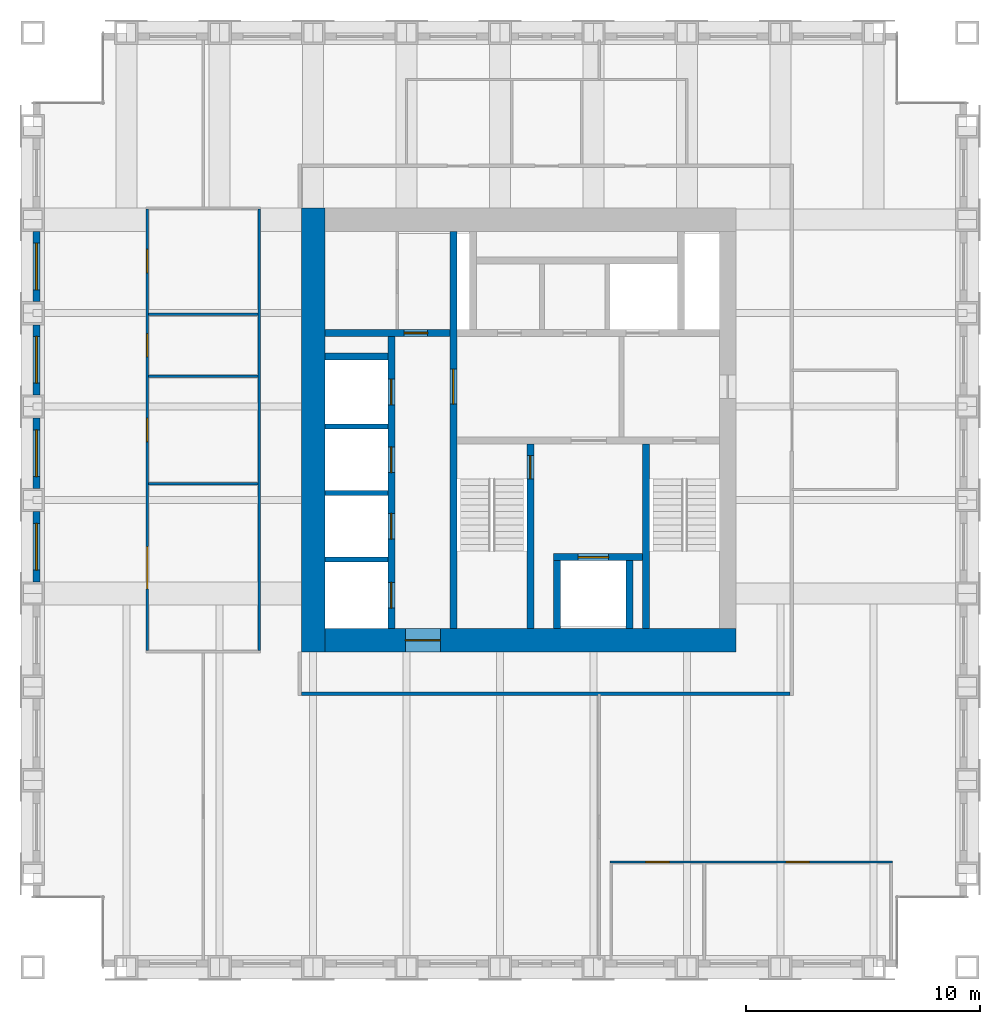
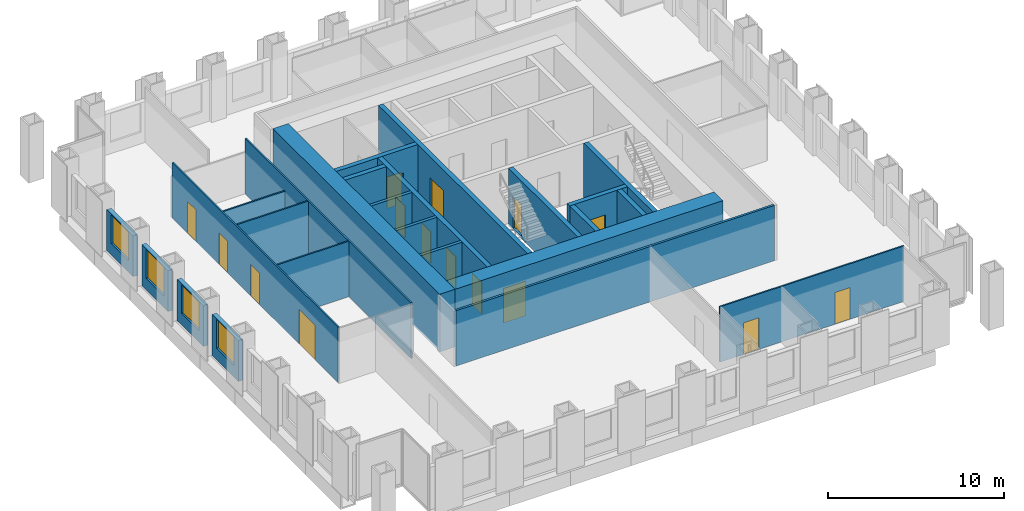
# One storey, part 8 of 11: 25 walls, 15 doors, 4 windows, 19 openings.
"""IFC4 building model written with IfcOpenShell, lengths in metres."""

import ifcopenshell
import ifcopenshell.guid

model = None  # the IFC model being written
_history = None  # IfcOwnerHistory: only IFC2X3 demands one
_inside = {}  # id of a spatial element -> (the spatial element, [elements in it])
_under = {}  # id of a project, library or spatial element -> (it, [spatial elements below it])
_declared = {}  # id of a project -> (the project, [libraries it declares])
_typed = {}  # id of a type object -> (the type object, [elements of that type])
_made_of = {}  # id of a material, layer set ... -> (it, [elements and type objects made of it])


def new_model(schema):
    """Start an empty IFC model of exactly this schema.

    Asked for "IFC4X3", IfcOpenShell would pick the latest addendum, in which some entities
    have other attributes; the version numbers below select the first issue.
    IFC2X3 requires an IfcOwnerHistory on every rooted entity: one is made here for all.
    """
    global model, _history
    if schema == "IFC4X3":
        model = ifcopenshell.file(schema_version=(4, 3, 0, 0))
    else:
        model = ifcopenshell.file(schema=schema)
    _inside.clear()
    _under.clear()
    _declared.clear()
    _typed.clear()
    _made_of.clear()
    _history = None
    if model.schema == "IFC2X3":
        org = make("IfcOrganization", Name="unknown")
        user = make(
            "IfcPersonAndOrganization",
            ThePerson=make("IfcPerson", FamilyName="unknown"),
            TheOrganization=org,
        )
        app = make(
            "IfcApplication",
            ApplicationDeveloper=org,
            Version="unknown",
            ApplicationFullName="unknown",
            ApplicationIdentifier="unknown",
        )
        _history = make(
            "IfcOwnerHistory",
            OwningUser=user,
            OwningApplication=app,
            ChangeAction="ADDED",
            CreationDate=0,
        )
    return model


def make(cls, **values):
    """One entity of the class cls with the attributes given. An attribute that is None is left unset."""
    return model.create_entity(
        cls, **{name: value for name, value in values.items() if value is not None}
    )


def rooted(cls, **values):
    """An entity with a GlobalId (a new one), such as an element, a storey or a relation."""
    return make(cls, GlobalId=ifcopenshell.guid.new(), OwnerHistory=_history, **values)


def si_unit(unit_type, name, prefix=None):
    """IfcSIUnit, for example si_unit("LENGTHUNIT", "METRE", prefix="MILLI")."""
    return make("IfcSIUnit", UnitType=unit_type, Prefix=prefix, Name=name)


def assignment(units):
    """IfcUnitAssignment: the units of a project."""
    return None if units is None else make("IfcUnitAssignment", Units=units)


def point(xyz):
    """IfcCartesianPoint."""
    return None if xyz is None else make("IfcCartesianPoint", Coordinates=xyz)


def direction(xyz):
    """IfcDirection."""
    return None if xyz is None else make("IfcDirection", DirectionRatios=xyz)


def frame(location, z_axis=None, x_axis=None):
    """IfcAxis2Placement3D, a coordinate frame: its origin and axes. An axis left out is left unset."""
    return make(
        "IfcAxis2Placement3D",
        Location=point(location),
        Axis=direction(z_axis),
        RefDirection=direction(x_axis),
    )


def frame_2d(location, x_axis=None):
    """IfcAxis2Placement2D, a coordinate frame in the plane: its origin and x axis."""
    return make(
        "IfcAxis2Placement2D", Location=point(location), RefDirection=direction(x_axis)
    )


def origin():
    """The frame at (0, 0, 0) with its axes left unset."""
    return frame((0.0, 0.0, 0.0))


def place(relative_to, where):
    """IfcLocalPlacement: puts the frame where relative to a parent placement (None: the world)."""
    return make(
        "IfcLocalPlacement", PlacementRelTo=relative_to, RelativePlacement=where
    )


def context(
    kind, dimensions, precision=None, world=None, true_north=None, identifier=None
):
    """IfcGeometricRepresentationContext, for example the 3D "Model" context."""
    return make(
        "IfcGeometricRepresentationContext",
        ContextIdentifier=identifier,
        ContextType=kind,
        CoordinateSpaceDimension=dimensions,
        Precision=precision,
        WorldCoordinateSystem=world,
        TrueNorth=true_north,
    )


def subcontext(parent, identifier, kind, view, scale=None):
    """IfcGeometricRepresentationSubContext, for example "Body" below "Model"."""
    return make(
        "IfcGeometricRepresentationSubContext",
        ContextIdentifier=identifier,
        ContextType=kind,
        ParentContext=parent,
        TargetScale=scale,
        TargetView=view,
    )


def project(units=None, contexts=None):
    """IfcProject with its units and contexts."""
    return rooted(
        "IfcProject",
        Name="project",
        RepresentationContexts=contexts,
        UnitsInContext=assignment(units),
    )


def spatial(cls, under=None, at=None, **own):
    """A site, building, storey or space (cls), placed at a placement, below another one or the project."""
    s = rooted(cls, ObjectPlacement=at, **own)
    if under is not None:
        _under.setdefault(under.id(), (under, []))[1].append(s)
    return s


def profile(cls, at=None, kind="AREA", **sizes):
    """A parametric profile (cls). Its sizes go by their IFC names, for example OverallWidth=200.0."""
    return make(cls, ProfileType=kind, Position=at, **sizes)


def rectangle(**sizes):
    """IfcRectangleProfileDef."""
    return profile("IfcRectangleProfileDef", **sizes)


def extrude(swept, where, along, depth):
    """IfcExtrudedAreaSolid: the profile swept, set in the frame where, extruded along a direction by depth."""
    return make(
        "IfcExtrudedAreaSolid",
        SweptArea=swept,
        Position=where,
        ExtrudedDirection=direction(along),
        Depth=depth,
    )


def shape(context_of_items, identifier, shape_type, items):
    """IfcShapeRepresentation: the items that make up one representation, for example the "Body"."""
    return make(
        "IfcShapeRepresentation",
        ContextOfItems=context_of_items,
        RepresentationIdentifier=identifier,
        RepresentationType=shape_type,
        Items=items,
    )


def material(Name=None, Category=None):
    """IfcMaterial."""
    return make("IfcMaterial", Name=Name, Category=Category)


def layer(
    of_material, thickness, ventilated=None, Name=None, Category=None, Priority=None
):
    """IfcMaterialLayer: one layer of a wall or slab, of a material (None: an air gap)."""
    return make(
        "IfcMaterialLayer",
        Material=of_material,
        LayerThickness=thickness,
        IsVentilated=ventilated,
        Name=Name,
        Category=Category,
        Priority=Priority,
    )


def layer_set(layers, Name=None):
    """IfcMaterialLayerSet."""
    return make("IfcMaterialLayerSet", MaterialLayers=layers, LayerSetName=Name)


def made_of(thing, what):
    """Note that an element or type object is made of a material, layer set ...; save() writes the relation."""
    if what is not None:
        _made_of.setdefault(what.id(), (what, []))[1].append(thing)
    return thing


def type_object(cls, material=None, **own):
    """A type object (cls), such as IfcWallType, which elements share."""
    return made_of(rooted(cls, **own), material)


def element(
    cls,
    number,
    at=None,
    inside=None,
    cuts=None,
    type_object=None,
    material=None,
    context=None,
    identifier="Body",
    shape_type=None,
    held_by="IfcProductDefinitionShape",
    body=None,
    shapes=None,
    **own,
):
    """One element of the class cls, such as IfcWall. Its Tag is "e" and its number.

    at: its placement. inside: the storey or other place that contains it. cuts: it is an
    opening in that element (IfcRelVoidsElement). A single representation is given by context,
    identifier, shape_type and body (its items); several are given by shapes. held_by: the class
    of the entity that holds the representations. save() writes the other relations.
    """
    e = rooted(cls, Tag="e%d" % number, ObjectPlacement=at, **own)
    if body is not None:
        shapes = [shape(context, identifier, shape_type, body)]
    if shapes is not None:
        e.Representation = make(held_by, Representations=shapes)
    if inside is not None:
        _inside.setdefault(inside.id(), (inside, []))[1].append(e)
    if cuts is not None:
        rooted(
            "IfcRelVoidsElement", RelatingBuildingElement=cuts, RelatedOpeningElement=e
        )
    if type_object is not None:
        _typed.setdefault(type_object.id(), (type_object, []))[1].append(e)
    return made_of(e, material)


def fill(opening, filler):
    """IfcRelFillsElement: the door or window that sits in an opening."""
    return rooted(
        "IfcRelFillsElement",
        RelatingOpeningElement=opening,
        RelatedBuildingElement=filler,
    )


def aggregate(whole, parts):
    """IfcRelAggregates: a whole, such as a stair, and the parts it consists of."""
    return rooted("IfcRelAggregates", RelatingObject=whole, RelatedObjects=parts)


def save(model, path):
    """Write the relations noted so far, then the file.

    IfcRelAggregates (storeys below a building ...), IfcRelContainedInSpatialStructure (elements
    in a storey), IfcRelDefinesByType, IfcRelAssociatesMaterial and IfcRelDeclares: one each for
    every whole, place, type object, material and project.
    """
    for whole, parts in _under.values():
        aggregate(whole, parts)
    for where, things in _inside.values():
        rooted(
            "IfcRelContainedInSpatialStructure",
            RelatedElements=things,
            RelatingStructure=where,
        )
    for kind, things in _typed.values():
        rooted("IfcRelDefinesByType", RelatedObjects=things, RelatingType=kind)
    for what, things in _made_of.values():
        rooted("IfcRelAssociatesMaterial", RelatedObjects=things, RelatingMaterial=what)
    for by, libraries in _declared.values():
        rooted("IfcRelDeclares", RelatingContext=by, RelatedDefinitions=libraries)
    model.write(path)


model = new_model("IFC4")

# Units and contexts
model_context = context("Model", 3, precision=1e-05, world=origin(), true_north=direction((0.0, 1.0)))
body_context = subcontext(model_context, "Body", "Model", "MODEL_VIEW")
ifc_project = project(units=[si_unit("LENGTHUNIT", "METRE"), si_unit("AREAUNIT", "SQUARE_METRE"), si_unit("VOLUMEUNIT", "CUBIC_METRE"), si_unit("PLANEANGLEUNIT", "RADIAN"), si_unit("MASSUNIT", "GRAM", prefix="KILO")], contexts=[model_context])

# Site, building, storey
site_placement = place(None, origin())
site = spatial("IfcSite", under=ifc_project, at=site_placement, CompositionType="ELEMENT")
building_placement = place(site_placement, origin())
building = spatial("IfcBuilding", under=site, at=building_placement, Name="Rimbunsela Tower", CompositionType="ELEMENT")
storey_placement = place(building_placement, frame((0.0, 0.0, 282.199951171875)))
storey = spatial("IfcBuildingStorey", under=building, at=storey_placement, Name="L68", CompositionType="ELEMENT", Elevation=282.199951171875)

# Wall, opening, door
ifc_material_1 = material(Name="Concrete fc' 80 MPa", Category="concrete")
ifc_layer_1 = layer(ifc_material_1, 0.300048828125)
ifc_layer_set_1 = layer_set([ifc_layer_1], Name="Core internal wall 300")
wall_type_1 = type_object("IfcWallType", Name="Core internal wall 300", PredefinedType="SHEAR", material=ifc_layer_set_1)
wall_1_placement = place(storey_placement, frame((24.0, 18.5, -0.14990234375), z_axis=(0.0, 0.0, 1.0), x_axis=(0.0, 1.0, 0.0)))
wall_1 = element("IfcWall", 1, at=wall_1_placement, inside=storey, type_object=wall_type_1, Name="Core wall at stair A", PredefinedType="SHEAR", context=body_context, shape_type="SweptSolid", body=[
    extrude(rectangle(XDim=17.0, YDim=0.300048828125, at=frame_2d((8.5, 0.0))), origin(), (0.0, 0.0, 1.0), 4.0),
])
opening_1_placement = place(wall_1_placement, frame((9.60009765625, 0.0, 0.14990234375)))
opening_1 = element("IfcOpeningElement", 2, at=opening_1_placement, cuts=wall_1, Name="Opening D03", PredefinedType="OPENING", context=body_context, shape_type="SweptSolid", body=[
    extrude(rectangle(XDim=1.5, YDim=2.39990234375, at=frame_2d((0.75, 1.199951171875))), frame((0.0, 0.159912109375, 0.0), z_axis=(0.0, -1.0, 0.0), x_axis=(1.0, 0.0, 0.0)), (0.0, 0.0, 1.0), 0.320068359375),
])
ifc_material_2 = material(Name="Steel door, fire rated", Category="steel")
door_type_1 = type_object("IfcDoorType", Name="Core lobby door 1500", OperationType="DOUBLE_DOOR_DOUBLE_SWING", PredefinedType="DOOR", material=ifc_material_2)
door_1_placement = place(opening_1_placement, origin())
door_1 = element("IfcDoor", 3, at=door_1_placement, inside=storey, type_object=door_type_1, Name="West lobby door", OperationType="DOUBLE_DOOR_DOUBLE_SWING", OverallHeight=2.39990234375, OverallWidth=1.5, PredefinedType="DOOR", context=body_context, shape_type="SweptSolid", body=[
    extrude(rectangle(XDim=1.5, YDim=2.39990234375, at=frame_2d((0.75, 1.199951171875))), frame((0.0, 0.02490234375, 0.0), z_axis=(0.0, -1.0, 0.0), x_axis=(1.0, 0.0, 0.0)), (0.0, 0.0, 1.0), 0.050048828125),
])
fill(opening_1, door_1)

wall_2_placement = place(storey_placement, frame((27.300048828125, 18.5, -0.14990234375), z_axis=(0.0, 0.0, 1.0), x_axis=(0.0, 1.0, 0.0)))
wall_2 = element("IfcWall", 4, at=wall_2_placement, inside=storey, type_object=wall_type_1, Name="Stair A enclosure", PredefinedType="SHEAR", context=body_context, shape_type="SweptSolid", body=[
    extrude(rectangle(XDim=7.89990234375, YDim=0.300048828125, at=frame_2d((3.949951171875, 0.0))), origin(), (0.0, 0.0, 1.0), 4.0),
])
opening_2_placement = place(wall_2_placement, frame((6.39990234375, 0.0, 0.14990234375)))
opening_2 = element("IfcOpeningElement", 5, at=opening_2_placement, cuts=wall_2, Name="Opening D01", PredefinedType="OPENING", context=body_context, shape_type="SweptSolid", body=[
    extrude(rectangle(XDim=1.0, YDim=2.199951171875, at=frame_2d((0.5, 1.10009765625))), frame((0.0, 0.159912109375, 0.0), z_axis=(0.0, -1.0, 0.0), x_axis=(1.0, 0.0, 0.0)), (0.0, 0.0, 1.0), 0.320068359375),
])
ifc_material_3 = material(Name="Steel door, fire rated", Category="steel")
door_type_2 = type_object("IfcDoorType", Name="Stair door 1000", OperationType="SINGLE_SWING_RIGHT", PredefinedType="DOOR", material=ifc_material_3)
door_2_placement = place(opening_2_placement, origin())
door_2 = element("IfcDoor", 6, at=door_2_placement, inside=storey, type_object=door_type_2, Name="Stair A door", OperationType="SINGLE_SWING_RIGHT", OverallHeight=2.199951171875, OverallWidth=1.0, PredefinedType="DOOR", context=body_context, shape_type="SweptSolid", body=[
    extrude(rectangle(XDim=1.0, YDim=2.199951171875, at=frame_2d((0.5, 1.10009765625))), frame((0.0, 0.02490234375, 0.0), z_axis=(0.0, -1.0, 0.0), x_axis=(1.0, 0.0, 0.0)), (0.0, 0.0, 1.0), 0.050048828125),
])
fill(opening_2, door_2)

# Walls
wall_3_placement = place(storey_placement, frame((32.25, 18.5, -0.14990234375), z_axis=(0.0, 0.0, 1.0), x_axis=(0.0, 1.0, 0.0)))
element("IfcWall", 7, at=wall_3_placement, inside=storey, type_object=wall_type_1, Name="Stair B enclosure", PredefinedType="SHEAR", context=body_context, shape_type="SweptSolid", body=[
    extrude(rectangle(XDim=7.89990234375, YDim=0.300048828125, at=frame_2d((3.949951171875, 0.0))), origin(), (0.0, 0.0, 1.0), 4.0),
])
for number, where, z_axis, x_axis, name in (
    (8, (28.449951171875, 18.5, -0.14990234375), (0.0, 0.0, 1.0), (0.0, 1.0, 0.0), "Firefighting lift shaft west"),
    (9, (31.550048828125, 18.5, -0.14990234375), (0.0, 0.0, 1.0), (0.0, 1.0, 0.0), "Firefighting lift shaft east"),
):
    element("IfcWall", number, at=place(storey_placement, frame(where, z_axis=z_axis, x_axis=x_axis)), inside=storey, type_object=wall_type_1, Name=name, PredefinedType="SHEAR", context=body_context, shape_type="SweptSolid", body=[
        extrude(rectangle(XDim=2.89990234375, YDim=0.300048828125, at=frame_2d((1.449951171875, 0.0))), origin(), (0.0, 0.0, 1.0), 4.0),
    ])

# Wall, opening, door
wall_4_placement = place(storey_placement, frame((28.300048828125, 21.550048828125, -0.14990234375), z_axis=(0.0, 0.0, 1.0), x_axis=(1.0, 0.0, 0.0)))
wall_4 = element("IfcWall", 10, at=wall_4_placement, inside=storey, type_object=wall_type_1, Name="Firefighting lift shaft front", PredefinedType="SHEAR", context=body_context, shape_type="SweptSolid", body=[
    extrude(rectangle(XDim=3.800048828125, YDim=0.300048828125, at=frame_2d((1.89990234375, 0.0))), origin(), (0.0, 0.0, 1.0), 4.0),
])
opening_3_placement = place(wall_4_placement, frame((1.050048828125, 0.0, 0.14990234375)))
opening_3 = element("IfcOpeningElement", 11, at=opening_3_placement, cuts=wall_4, Name="Opening LD2", PredefinedType="OPENING", context=body_context, shape_type="SweptSolid", body=[
    extrude(rectangle(XDim=1.300048828125, YDim=2.39990234375, at=frame_2d((0.64990234375, 1.199951171875))), frame((0.0, 0.159912109375, 0.0), z_axis=(0.0, -1.0, 0.0), x_axis=(1.0, 0.0, 0.0)), (0.0, 0.0, 1.0), 0.320068359375),
])
ifc_material_4 = material(Name="Steel door, fire rated", Category="steel")
door_type_3 = type_object("IfcDoorType", Name="Lift landing door 1300", OperationType="DOUBLE_DOOR_SLIDING", PredefinedType="DOOR", material=ifc_material_4)
door_3_placement = place(opening_3_placement, origin())
door_3 = element("IfcDoor", 12, at=door_3_placement, inside=storey, type_object=door_type_3, Name="Lift landing door FL1", OperationType="DOUBLE_DOOR_SLIDING", OverallHeight=2.39990234375, OverallWidth=1.300048828125, PredefinedType="DOOR", context=body_context, shape_type="SweptSolid", body=[
    extrude(rectangle(XDim=1.300048828125, YDim=2.39990234375, at=frame_2d((0.64990234375, 1.199951171875))), frame((0.0, 0.02490234375, 0.0), z_axis=(0.0, -1.0, 0.0), x_axis=(1.0, 0.0, 0.0)), (0.0, 0.0, 1.0), 0.050048828125),
])
fill(opening_3, door_3)

# Wall, openings, doors
wall_5_placement = place(storey_placement, frame((21.35009765625, 18.5, -0.14990234375), z_axis=(0.0, 0.0, 1.0), x_axis=(0.0, 1.0, 0.0)))
wall_5 = element("IfcWall", 13, at=wall_5_placement, inside=storey, type_object=wall_type_1, Name="Lift shaft front west", PredefinedType="SHEAR", context=body_context, shape_type="SweptSolid", body=[
    extrude(rectangle(XDim=12.5, YDim=0.300048828125, at=frame_2d((6.25, 0.0))), origin(), (0.0, 0.0, 1.0), 4.0),
])
opening_4_placement = place(wall_5_placement, frame((0.875, 0.0, 0.14990234375)))
opening_4 = element("IfcOpeningElement", 14, at=opening_4_placement, cuts=wall_5, Name="Opening LD1", PredefinedType="OPENING", context=body_context, shape_type="SweptSolid", body=[
    extrude(rectangle(XDim=1.10009765625, YDim=2.199951171875, at=frame_2d((0.550048828125, 1.10009765625))), frame((0.0, 0.159912109375, 0.0), z_axis=(0.0, -1.0, 0.0), x_axis=(1.0, 0.0, 0.0)), (0.0, 0.0, 1.0), 0.320068359375),
])
opening_5_placement = place(wall_5_placement, frame((3.824951171875, 0.0, 0.14990234375)))
opening_5 = element("IfcOpeningElement", 15, at=opening_5_placement, cuts=wall_5, Name="Opening LD1", PredefinedType="OPENING", context=body_context, shape_type="SweptSolid", body=[
    extrude(rectangle(XDim=1.10009765625, YDim=2.199951171875, at=frame_2d((0.550048828125, 1.10009765625))), frame((0.0, 0.159912109375, 0.0), z_axis=(0.0, -1.0, 0.0), x_axis=(1.0, 0.0, 0.0)), (0.0, 0.0, 1.0), 0.320068359375),
])
opening_6_placement = place(wall_5_placement, frame((6.675048828125, 0.0, 0.14990234375)))
opening_6 = element("IfcOpeningElement", 16, at=opening_6_placement, cuts=wall_5, Name="Opening LD1", PredefinedType="OPENING", context=body_context, shape_type="SweptSolid", body=[
    extrude(rectangle(XDim=1.10009765625, YDim=2.199951171875, at=frame_2d((0.550048828125, 1.10009765625))), frame((0.0, 0.159912109375, 0.0), z_axis=(0.0, -1.0, 0.0), x_axis=(1.0, 0.0, 0.0)), (0.0, 0.0, 1.0), 0.320068359375),
])
opening_7_placement = place(wall_5_placement, frame((9.574951171875, 0.0, 0.14990234375)))
opening_7 = element("IfcOpeningElement", 17, at=opening_7_placement, cuts=wall_5, Name="Opening LD1", PredefinedType="OPENING", context=body_context, shape_type="SweptSolid", body=[
    extrude(rectangle(XDim=1.10009765625, YDim=2.199951171875, at=frame_2d((0.550048828125, 1.10009765625))), frame((0.0, 0.159912109375, 0.0), z_axis=(0.0, -1.0, 0.0), x_axis=(1.0, 0.0, 0.0)), (0.0, 0.0, 1.0), 0.320068359375),
])
ifc_material_5 = material(Name="Steel door, fire rated", Category="steel")
door_type_4 = type_object("IfcDoorType", Name="Lift landing door 1100", OperationType="DOUBLE_DOOR_SLIDING", PredefinedType="DOOR", material=ifc_material_5)
door_4_placement = place(opening_4_placement, origin())
door_4 = element("IfcDoor", 18, at=door_4_placement, inside=storey, type_object=door_type_4, Name="Lift landing door TL1", OperationType="DOUBLE_DOOR_SLIDING", OverallHeight=2.199951171875, OverallWidth=1.10009765625, PredefinedType="DOOR", context=body_context, shape_type="SweptSolid", body=[
    extrude(rectangle(XDim=1.10009765625, YDim=2.199951171875, at=frame_2d((0.550048828125, 1.10009765625))), frame((0.0, 0.02490234375, 0.0), z_axis=(0.0, -1.0, 0.0), x_axis=(1.0, 0.0, 0.0)), (0.0, 0.0, 1.0), 0.050048828125),
])
fill(opening_4, door_4)
door_5_placement = place(opening_5_placement, origin())
door_5 = element("IfcDoor", 19, at=door_5_placement, inside=storey, type_object=door_type_4, Name="Lift landing door TL2", OperationType="DOUBLE_DOOR_SLIDING", OverallHeight=2.199951171875, OverallWidth=1.10009765625, PredefinedType="DOOR", context=body_context, shape_type="SweptSolid", body=[
    extrude(rectangle(XDim=1.10009765625, YDim=2.199951171875, at=frame_2d((0.550048828125, 1.10009765625))), frame((0.0, 0.02490234375, 0.0), z_axis=(0.0, -1.0, 0.0), x_axis=(1.0, 0.0, 0.0)), (0.0, 0.0, 1.0), 0.050048828125),
])
fill(opening_5, door_5)
door_6_placement = place(opening_6_placement, origin())
door_6 = element("IfcDoor", 20, at=door_6_placement, inside=storey, type_object=door_type_4, Name="Lift landing door TL3", OperationType="DOUBLE_DOOR_SLIDING", OverallHeight=2.199951171875, OverallWidth=1.10009765625, PredefinedType="DOOR", context=body_context, shape_type="SweptSolid", body=[
    extrude(rectangle(XDim=1.10009765625, YDim=2.199951171875, at=frame_2d((0.550048828125, 1.10009765625))), frame((0.0, 0.02490234375, 0.0), z_axis=(0.0, -1.0, 0.0), x_axis=(1.0, 0.0, 0.0)), (0.0, 0.0, 1.0), 0.050048828125),
])
fill(opening_6, door_6)
door_7_placement = place(opening_7_placement, origin())
door_7 = element("IfcDoor", 21, at=door_7_placement, inside=storey, type_object=door_type_4, Name="Lift landing door TL4", OperationType="DOUBLE_DOOR_SLIDING", OverallHeight=2.199951171875, OverallWidth=1.10009765625, PredefinedType="DOOR", context=body_context, shape_type="SweptSolid", body=[
    extrude(rectangle(XDim=1.10009765625, YDim=2.199951171875, at=frame_2d((0.550048828125, 1.10009765625))), frame((0.0, 0.02490234375, 0.0), z_axis=(0.0, -1.0, 0.0), x_axis=(1.0, 0.0, 0.0)), (0.0, 0.0, 1.0), 0.050048828125),
])
fill(opening_7, door_7)

# Wall, opening, door
wall_6_placement = place(storey_placement, frame((18.5, 31.14990234375, -0.14990234375), z_axis=(0.0, 0.0, 1.0), x_axis=(1.0, 0.0, 0.0)))
wall_6 = element("IfcWall", 22, at=wall_6_placement, inside=storey, type_object=wall_type_1, Name="Store wall", PredefinedType="SHEAR", context=body_context, shape_type="SweptSolid", body=[
    extrude(rectangle(XDim=5.35009765625, YDim=0.300048828125, at=frame_2d((2.675048828125, 0.0))), origin(), (0.0, 0.0, 1.0), 4.0),
])
opening_8_placement = place(wall_6_placement, frame((3.39990234375, 0.0, 0.14990234375)))
opening_8 = element("IfcOpeningElement", 23, at=opening_8_placement, cuts=wall_6, Name="Opening D19", PredefinedType="OPENING", context=body_context, shape_type="SweptSolid", body=[
    extrude(rectangle(XDim=1.0, YDim=2.199951171875, at=frame_2d((0.5, 1.10009765625))), frame((0.0, 0.159912109375, 0.0), z_axis=(0.0, -1.0, 0.0), x_axis=(1.0, 0.0, 0.0)), (0.0, 0.0, 1.0), 0.320068359375),
])
ifc_material_6 = material(Name="Steel door, fire rated", Category="steel")
door_type_5 = type_object("IfcDoorType", Name="Service door 1000 fire rated", OperationType="SINGLE_SWING_LEFT", PredefinedType="DOOR", material=ifc_material_6)
door_8_placement = place(opening_8_placement, origin())
door_8 = element("IfcDoor", 24, at=door_8_placement, inside=storey, type_object=door_type_5, Name="Staff pantry door", OperationType="SINGLE_SWING_LEFT", OverallHeight=2.199951171875, OverallWidth=1.0, PredefinedType="DOOR", context=body_context, shape_type="SweptSolid", body=[
    extrude(rectangle(XDim=1.0, YDim=2.199951171875, at=frame_2d((0.5, 1.10009765625))), frame((0.0, 0.02490234375, 0.0), z_axis=(0.0, -1.0, 0.0), x_axis=(1.0, 0.0, 0.0)), (0.0, 0.0, 1.0), 0.050048828125),
])
fill(opening_8, door_8)

# Walls
wall_7_placement = place(storey_placement, frame((18.5, 30.14990234375, -0.14990234375), z_axis=(0.0, 0.0, 1.0), x_axis=(1.0, 0.0, 0.0)))
element("IfcWall", 25, at=wall_7_placement, inside=storey, type_object=wall_type_1, Name="Lift shaft rear west", PredefinedType="SHEAR", context=body_context, shape_type="SweptSolid", body=[
    extrude(rectangle(XDim=2.699951171875, YDim=0.300048828125, at=frame_2d((1.35009765625, 0.0))), origin(), (0.0, 0.0, 1.0), 4.0),
])
ifc_material_7 = material(Name="Concrete fc' 80 MPa", Category="concrete")
ifc_layer_2 = layer(ifc_material_7, 1.0)
ifc_layer_set_2 = layer_set([ifc_layer_2], Name="Core wall 1000")
wall_type_2 = type_object("IfcWallType", Name="Core wall 1000", PredefinedType="SHEAR", material=ifc_layer_set_2)
wall_8_placement = place(storey_placement, frame((18.0, 17.5, -0.14990234375), z_axis=(0.0, 0.0, 1.0), x_axis=(0.0, 1.0, 0.0)))
element("IfcWall", 26, at=wall_8_placement, inside=storey, type_object=wall_type_2, Name="Core wall west", PredefinedType="SHEAR", context=body_context, shape_type="SweptSolid", body=[
    extrude(rectangle(XDim=19.0, YDim=1.0, at=frame_2d((9.5, 0.0))), origin(), (0.0, 0.0, 1.0), 4.0),
])

# Wall, opening, door
wall_9_placement = place(storey_placement, frame((18.5, 18.0, -0.14990234375), z_axis=(0.0, 0.0, 1.0), x_axis=(1.0, 0.0, 0.0)))
wall_9 = element("IfcWall", 27, at=wall_9_placement, inside=storey, type_object=wall_type_2, Name="Core wall south", PredefinedType="SHEAR", context=body_context, shape_type="SweptSolid", body=[
    extrude(rectangle(XDim=17.60009765625, YDim=1.0, at=frame_2d((8.800048828125, 0.0))), origin(), (0.0, 0.0, 1.0), 4.0),
])
opening_9_placement = place(wall_9_placement, frame((3.449951171875, 0.0, 0.14990234375)))
opening_9 = element("IfcOpeningElement", 28, at=opening_9_placement, cuts=wall_9, Name="Opening D03", PredefinedType="OPENING", context=body_context, shape_type="SweptSolid", body=[
    extrude(rectangle(XDim=1.5, YDim=2.39990234375, at=frame_2d((0.75, 1.199951171875))), frame((0.0, 0.510009765625, 0.0), z_axis=(0.0, -1.0, 0.0), x_axis=(1.0, 0.0, 0.0)), (0.0, 0.0, 1.0), 1.02001953125),
])
door_9_placement = place(opening_9_placement, origin())
door_9 = element("IfcDoor", 29, at=door_9_placement, inside=storey, type_object=door_type_1, Name="Core door south", OperationType="DOUBLE_DOOR_DOUBLE_SWING", OverallHeight=2.39990234375, OverallWidth=1.5, PredefinedType="DOOR", context=body_context, shape_type="SweptSolid", body=[
    extrude(rectangle(XDim=1.5, YDim=2.39990234375, at=frame_2d((0.75, 1.199951171875))), frame((0.0, 0.02490234375, 0.0), z_axis=(0.0, -1.0, 0.0), x_axis=(1.0, 0.0, 0.0)), (0.0, 0.0, 1.0), 0.050048828125),
])
fill(opening_9, door_9)

# Walls
ifc_material_8 = material(Name="Concrete blockwork", Category="masonry")
ifc_layer_3 = layer(ifc_material_8, 0.199951171875)
ifc_layer_set_3 = layer_set([ifc_layer_3], Name="Lift shaft wall 200")
wall_type_3 = type_object("IfcWallType", Name="Lift shaft wall 200", PredefinedType="SOLIDWALL", material=ifc_layer_set_3)
for number, where, z_axis, x_axis, name in (
    (30, (18.5, 21.449951171875, -0.14990234375), (0.0, 0.0, 1.0), (1.0, 0.0, 0.0), "Lift shaft separation"),
    (31, (18.5, 24.300048828125, -0.14990234375), (0.0, 0.0, 1.0), (1.0, 0.0, 0.0), "Lift shaft separation"),
    (32, (18.5, 27.14990234375, -0.14990234375), (0.0, 0.0, 1.0), (1.0, 0.0, 0.0), "Lift shaft separation"),
):
    element("IfcWall", number, at=place(storey_placement, frame(where, z_axis=z_axis, x_axis=x_axis)), inside=storey, type_object=wall_type_3, Name=name, PredefinedType="SOLIDWALL", context=body_context, shape_type="SweptSolid", body=[
        extrude(rectangle(XDim=2.699951171875, YDim=0.199951171875, at=frame_2d((1.35009765625, 0.0))), origin(), (0.0, 0.0, 1.0), 4.0),
    ])

# Wall, openings, doors
ifc_material_9 = material(Name="Gypsum board on steel studs", Category="steel")
ifc_layer_4 = layer(ifc_material_9, 0.10009765625)
ifc_layer_set_4 = layer_set([ifc_layer_4], Name="Office partition 100")
wall_type_4 = type_object("IfcWallType", Name="Office partition 100", PredefinedType="PARTITIONING", material=ifc_layer_set_4)
wall_10_placement = place(storey_placement, frame((30.699951171875, 8.5, 0.0), z_axis=(0.0, 0.0, 1.0), x_axis=(1.0, 0.0, 0.0)))
wall_10 = element("IfcWall", 33, at=wall_10_placement, inside=storey, type_object=wall_type_4, Name="Office partition", PredefinedType="PARTITIONING", context=body_context, shape_type="SweptSolid", body=[
    extrude(rectangle(XDim=12.10009765625, YDim=0.10009765625, at=frame_2d((6.050048828125, 0.0))), origin(), (0.0, 0.0, 1.0), 3.85009765625),
])
opening_10_placement = place(wall_10_placement, frame((1.550048828125, 0.0, 0.0)))
opening_10 = element("IfcOpeningElement", 34, at=opening_10_placement, cuts=wall_10, Name="Opening D16", PredefinedType="OPENING", context=body_context, shape_type="SweptSolid", body=[
    extrude(rectangle(XDim=1.0, YDim=2.199951171875, at=frame_2d((0.5, 1.10009765625))), frame((0.0, 0.06005859375, 0.0), z_axis=(0.0, -1.0, 0.0), x_axis=(1.0, 0.0, 0.0)), (0.0, 0.0, 1.0), 0.1201171875),
])
opening_11_placement = place(wall_10_placement, frame((7.550048828125, 0.0, 0.0)))
opening_11 = element("IfcOpeningElement", 35, at=opening_11_placement, cuts=wall_10, Name="Opening D16", PredefinedType="OPENING", context=body_context, shape_type="SweptSolid", body=[
    extrude(rectangle(XDim=1.0, YDim=2.199951171875, at=frame_2d((0.5, 1.10009765625))), frame((0.0, 0.06005859375, 0.0), z_axis=(0.0, -1.0, 0.0), x_axis=(1.0, 0.0, 0.0)), (0.0, 0.0, 1.0), 0.1201171875),
])
ifc_material_10 = material(Name="Timber door", Category="wood")
door_type_6 = type_object("IfcDoorType", Name="Office door 1000", OperationType="SINGLE_SWING_LEFT", PredefinedType="DOOR", material=ifc_material_10)
door_10_placement = place(opening_10_placement, origin())
door_10 = element("IfcDoor", 36, at=door_10_placement, inside=storey, type_object=door_type_6, Name="Office door", OperationType="SINGLE_SWING_LEFT", OverallHeight=2.199951171875, OverallWidth=1.0, PredefinedType="DOOR", context=body_context, shape_type="SweptSolid", body=[
    extrude(rectangle(XDim=1.0, YDim=2.199951171875, at=frame_2d((0.5, 1.10009765625))), frame((0.0, 0.02490234375, 0.0), z_axis=(0.0, -1.0, 0.0), x_axis=(1.0, 0.0, 0.0)), (0.0, 0.0, 1.0), 0.050048828125),
])
fill(opening_10, door_10)
door_11_placement = place(opening_11_placement, origin())
door_11 = element("IfcDoor", 37, at=door_11_placement, inside=storey, type_object=door_type_6, Name="Office door", OperationType="SINGLE_SWING_LEFT", OverallHeight=2.199951171875, OverallWidth=1.0, PredefinedType="DOOR", context=body_context, shape_type="SweptSolid", body=[
    extrude(rectangle(XDim=1.0, YDim=2.199951171875, at=frame_2d((0.5, 1.10009765625))), frame((0.0, 0.02490234375, 0.0), z_axis=(0.0, -1.0, 0.0), x_axis=(1.0, 0.0, 0.0)), (0.0, 0.0, 1.0), 0.050048828125),
])
fill(opening_11, door_11)

# Walls
for number, where, z_axis, x_axis, name in (
    (38, (10.949951171875, 24.699951171875, 0.0), (0.0, 0.0, 1.0), (1.0, 0.0, 0.0), "Office partition"),
    (39, (10.949951171875, 29.300048828125, 0.0), (0.0, 0.0, 1.0), (1.0, 0.0, 0.0), "Office partition"),
):
    element("IfcWall", number, at=place(storey_placement, frame(where, z_axis=z_axis, x_axis=x_axis)), inside=storey, type_object=wall_type_4, Name=name, PredefinedType="PARTITIONING", context=body_context, shape_type="SweptSolid", body=[
        extrude(rectangle(XDim=4.699951171875, YDim=0.10009765625, at=frame_2d((2.35009765625, 0.0))), origin(), (0.0, 0.0, 1.0), 3.85009765625),
    ])
wall_11_placement = place(storey_placement, frame((10.949951171875, 31.949951171875, 0.0), z_axis=(0.0, 0.0, 1.0), x_axis=(1.0, 0.0, 0.0)))
element("IfcWall", 40, at=wall_11_placement, inside=storey, type_object=wall_type_4, Name="Office partition", PredefinedType="PARTITIONING", context=body_context, shape_type="SweptSolid", body=[
    extrude(rectangle(XDim=4.699951171875, YDim=0.10009765625, at=frame_2d((2.35009765625, 0.0))), origin(), (0.0, 0.0, 1.0), 2.949951171875),
])

# Wall, openings, doors
wall_12_placement = place(storey_placement, frame((10.89990234375, 17.550048828125, 0.0), z_axis=(0.0, 0.0, 1.0), x_axis=(0.0, 1.0, 0.0)))
wall_12 = element("IfcWall", 41, at=wall_12_placement, inside=storey, type_object=wall_type_4, Name="Office partition", PredefinedType="PARTITIONING", context=body_context, shape_type="SweptSolid", body=[
    extrude(rectangle(XDim=18.89990234375, YDim=0.10009765625, at=frame_2d((9.449951171875, 0.0))), origin(), (0.0, 0.0, 1.0), 3.85009765625),
])
opening_12_placement = place(wall_12_placement, frame((2.64990234375, 0.0, 0.0)))
opening_12 = element("IfcOpeningElement", 42, at=opening_12_placement, cuts=wall_12, Name="Opening D18", PredefinedType="OPENING", context=body_context, shape_type="SweptSolid", body=[
    extrude(rectangle(XDim=1.800048828125, YDim=2.39990234375, at=frame_2d((0.89990234375, 1.199951171875))), frame((0.0, 0.06005859375, 0.0), z_axis=(0.0, -1.0, 0.0), x_axis=(1.0, 0.0, 0.0)), (0.0, 0.0, 1.0), 0.1201171875),
])
opening_13_placement = place(wall_12_placement, frame((8.949951171875, 0.0, 0.0)))
opening_13 = element("IfcOpeningElement", 43, at=opening_13_placement, cuts=wall_12, Name="Opening D16", PredefinedType="OPENING", context=body_context, shape_type="SweptSolid", body=[
    extrude(rectangle(XDim=1.0, YDim=2.199951171875, at=frame_2d((0.5, 1.10009765625))), frame((0.0, 0.06005859375, 0.0), z_axis=(0.0, -1.0, 0.0), x_axis=(1.0, 0.0, 0.0)), (0.0, 0.0, 1.0), 0.1201171875),
])
opening_14_placement = place(wall_12_placement, frame((12.574951171875, 0.0, 0.0)))
opening_14 = element("IfcOpeningElement", 44, at=opening_14_placement, cuts=wall_12, Name="Opening D16", PredefinedType="OPENING", context=body_context, shape_type="SweptSolid", body=[
    extrude(rectangle(XDim=1.0, YDim=2.199951171875, at=frame_2d((0.5, 1.10009765625))), frame((0.0, 0.06005859375, 0.0), z_axis=(0.0, -1.0, 0.0), x_axis=(1.0, 0.0, 0.0)), (0.0, 0.0, 1.0), 0.1201171875),
])
opening_15_placement = place(wall_12_placement, frame((16.175048828125, 0.0, 0.0)))
opening_15 = element("IfcOpeningElement", 45, at=opening_15_placement, cuts=wall_12, Name="Opening D16", PredefinedType="OPENING", context=body_context, shape_type="SweptSolid", body=[
    extrude(rectangle(XDim=1.0, YDim=2.199951171875, at=frame_2d((0.5, 1.10009765625))), frame((0.0, 0.06005859375, 0.0), z_axis=(0.0, -1.0, 0.0), x_axis=(1.0, 0.0, 0.0)), (0.0, 0.0, 1.0), 0.1201171875),
])
ifc_material_11 = material(Name="Glazed aluminium door", Category="aluminium")
door_type_7 = type_object("IfcDoorType", Name="Boardroom door 1800 glazed", OperationType="DOUBLE_DOOR_DOUBLE_SWING", PredefinedType="DOOR", material=ifc_material_11)
door_12_placement = place(opening_12_placement, origin())
door_12 = element("IfcDoor", 46, at=door_12_placement, inside=storey, type_object=door_type_7, Name="Boardroom door", OperationType="DOUBLE_DOOR_DOUBLE_SWING", OverallHeight=2.39990234375, OverallWidth=1.800048828125, PredefinedType="DOOR", context=body_context, shape_type="SweptSolid", body=[
    extrude(rectangle(XDim=1.800048828125, YDim=2.39990234375, at=frame_2d((0.89990234375, 1.199951171875))), frame((0.0, 0.02490234375, 0.0), z_axis=(0.0, -1.0, 0.0), x_axis=(1.0, 0.0, 0.0)), (0.0, 0.0, 1.0), 0.050048828125),
])
fill(opening_12, door_12)
door_13_placement = place(opening_13_placement, origin())
door_13 = element("IfcDoor", 47, at=door_13_placement, inside=storey, type_object=door_type_6, Name="Office door", OperationType="SINGLE_SWING_LEFT", OverallHeight=2.199951171875, OverallWidth=1.0, PredefinedType="DOOR", context=body_context, shape_type="SweptSolid", body=[
    extrude(rectangle(XDim=1.0, YDim=2.199951171875, at=frame_2d((0.5, 1.10009765625))), frame((0.0, 0.02490234375, 0.0), z_axis=(0.0, -1.0, 0.0), x_axis=(1.0, 0.0, 0.0)), (0.0, 0.0, 1.0), 0.050048828125),
])
fill(opening_13, door_13)
door_14_placement = place(opening_14_placement, origin())
door_14 = element("IfcDoor", 48, at=door_14_placement, inside=storey, type_object=door_type_6, Name="Office door", OperationType="SINGLE_SWING_LEFT", OverallHeight=2.199951171875, OverallWidth=1.0, PredefinedType="DOOR", context=body_context, shape_type="SweptSolid", body=[
    extrude(rectangle(XDim=1.0, YDim=2.199951171875, at=frame_2d((0.5, 1.10009765625))), frame((0.0, 0.02490234375, 0.0), z_axis=(0.0, -1.0, 0.0), x_axis=(1.0, 0.0, 0.0)), (0.0, 0.0, 1.0), 0.050048828125),
])
fill(opening_14, door_14)
door_15_placement = place(opening_15_placement, origin())
door_15 = element("IfcDoor", 49, at=door_15_placement, inside=storey, type_object=door_type_6, Name="Office door", OperationType="SINGLE_SWING_LEFT", OverallHeight=2.199951171875, OverallWidth=1.0, PredefinedType="DOOR", context=body_context, shape_type="SweptSolid", body=[
    extrude(rectangle(XDim=1.0, YDim=2.199951171875, at=frame_2d((0.5, 1.10009765625))), frame((0.0, 0.02490234375, 0.0), z_axis=(0.0, -1.0, 0.0), x_axis=(1.0, 0.0, 0.0)), (0.0, 0.0, 1.0), 0.050048828125),
])
fill(opening_15, door_15)

# Wall
wall_13_placement = place(storey_placement, frame((15.699951171875, 17.550048828125, 0.0), z_axis=(0.0, 0.0, 1.0), x_axis=(0.0, 1.0, 0.0)))
element("IfcWall", 50, at=wall_13_placement, inside=storey, type_object=wall_type_4, Name="Office partition", PredefinedType="PARTITIONING", context=body_context, shape_type="SweptSolid", body=[
    extrude(rectangle(XDim=18.89990234375, YDim=0.10009765625, at=frame_2d((9.449951171875, 0.0))), origin(), (0.0, 0.0, 1.0), 3.85009765625),
])

# Wall, opening, window
ifc_material_12 = material(Name="Precast concrete fc' 35 MPa", Category="concrete")
ifc_layer_5 = layer(ifc_material_12, 0.300048828125)
ifc_layer_set_5 = layer_set([ifc_layer_5], Name="Precast concrete fc' 35 MPa")
wall_type_5 = type_object("IfcWallType", Name="Precast facade panel 300", PredefinedType="ELEMENTEDWALL", material=ifc_layer_set_5)
wall_14_placement = place(storey_placement, frame((6.14990234375, 23.5, 0.0), z_axis=(0.0, 0.0, 1.0), x_axis=(0.0, -1.0, 0.0)))
wall_14 = element("IfcWall", 51, at=wall_14_placement, inside=storey, type_object=wall_type_5, Name="Facade panel W L68", PredefinedType="ELEMENTEDWALL", context=body_context, shape_type="SweptSolid", body=[
    extrude(rectangle(XDim=3.0, YDim=0.300048828125, at=frame_2d((1.5, 0.0))), origin(), (0.0, 0.0, 1.0), 2.85009765625),
])
opening_16_placement = place(wall_14_placement, frame((0.5, 0.0, 0.800048828125)))
opening_16 = element("IfcOpeningElement", 52, at=opening_16_placement, cuts=wall_14, Name="Opening W1", PredefinedType="OPENING", context=body_context, shape_type="SweptSolid", body=[
    extrude(rectangle(XDim=2.0, YDim=2.0, at=frame_2d((1.0, 1.0))), frame((0.0, 0.159912109375, 0.0), z_axis=(0.0, -1.0, 0.0), x_axis=(1.0, 0.0, 0.0)), (0.0, 0.0, 1.0), 0.320068359375),
])
ifc_material_13 = material(Name="Clear glass in aluminium frame", Category="aluminium")
window_type = type_object("IfcWindowType", Name="Window W1 2000x2000", PartitioningType="DOUBLE_PANEL_VERTICAL", PredefinedType="WINDOW", material=ifc_material_13)
window_1_placement = place(opening_16_placement, origin())
window_1 = element("IfcWindow", 53, at=window_1_placement, inside=storey, type_object=window_type, Name="Window L68", OverallHeight=2.0, OverallWidth=2.0, PartitioningType="SINGLE_PANEL", PredefinedType="WINDOW", context=body_context, shape_type="SweptSolid", body=[
    extrude(rectangle(XDim=2.0, YDim=2.0, at=frame_2d((1.0, 1.0))), frame((0.0, 0.030029296875, 0.0), z_axis=(0.0, -1.0, 0.0), x_axis=(1.0, 0.0, 0.0)), (0.0, 0.0, 1.0), 0.06005859375),
])
fill(opening_16, window_1)

wall_15_placement = place(storey_placement, frame((6.14990234375, 27.5, 0.0), z_axis=(0.0, 0.0, 1.0), x_axis=(0.0, -1.0, 0.0)))
wall_15 = element("IfcWall", 54, at=wall_15_placement, inside=storey, type_object=wall_type_5, Name="Facade panel W L68", PredefinedType="ELEMENTEDWALL", context=body_context, shape_type="SweptSolid", body=[
    extrude(rectangle(XDim=3.0, YDim=0.300048828125, at=frame_2d((1.5, 0.0))), origin(), (0.0, 0.0, 1.0), 2.85009765625),
])
opening_17_placement = place(wall_15_placement, frame((0.5, 0.0, 0.800048828125)))
opening_17 = element("IfcOpeningElement", 55, at=opening_17_placement, cuts=wall_15, Name="Opening W1", PredefinedType="OPENING", context=body_context, shape_type="SweptSolid", body=[
    extrude(rectangle(XDim=2.0, YDim=2.0, at=frame_2d((1.0, 1.0))), frame((0.0, 0.159912109375, 0.0), z_axis=(0.0, -1.0, 0.0), x_axis=(1.0, 0.0, 0.0)), (0.0, 0.0, 1.0), 0.320068359375),
])
window_2_placement = place(opening_17_placement, origin())
window_2 = element("IfcWindow", 56, at=window_2_placement, inside=storey, type_object=window_type, Name="Window L68", OverallHeight=2.0, OverallWidth=2.0, PartitioningType="SINGLE_PANEL", PredefinedType="WINDOW", context=body_context, shape_type="SweptSolid", body=[
    extrude(rectangle(XDim=2.0, YDim=2.0, at=frame_2d((1.0, 1.0))), frame((0.0, 0.030029296875, 0.0), z_axis=(0.0, -1.0, 0.0), x_axis=(1.0, 0.0, 0.0)), (0.0, 0.0, 1.0), 0.06005859375),
])
fill(opening_17, window_2)

wall_16_placement = place(storey_placement, frame((6.14990234375, 31.5, 0.0), z_axis=(0.0, 0.0, 1.0), x_axis=(0.0, -1.0, 0.0)))
wall_16 = element("IfcWall", 57, at=wall_16_placement, inside=storey, type_object=wall_type_5, Name="Facade panel W L68", PredefinedType="ELEMENTEDWALL", context=body_context, shape_type="SweptSolid", body=[
    extrude(rectangle(XDim=3.0, YDim=0.300048828125, at=frame_2d((1.5, 0.0))), origin(), (0.0, 0.0, 1.0), 2.85009765625),
])
opening_18_placement = place(wall_16_placement, frame((0.5, 0.0, 0.800048828125)))
opening_18 = element("IfcOpeningElement", 58, at=opening_18_placement, cuts=wall_16, Name="Opening W1", PredefinedType="OPENING", context=body_context, shape_type="SweptSolid", body=[
    extrude(rectangle(XDim=2.0, YDim=2.0, at=frame_2d((1.0, 1.0))), frame((0.0, 0.159912109375, 0.0), z_axis=(0.0, -1.0, 0.0), x_axis=(1.0, 0.0, 0.0)), (0.0, 0.0, 1.0), 0.320068359375),
])
window_3_placement = place(opening_18_placement, origin())
window_3 = element("IfcWindow", 59, at=window_3_placement, inside=storey, type_object=window_type, Name="Window L68", OverallHeight=2.0, OverallWidth=2.0, PartitioningType="SINGLE_PANEL", PredefinedType="WINDOW", context=body_context, shape_type="SweptSolid", body=[
    extrude(rectangle(XDim=2.0, YDim=2.0, at=frame_2d((1.0, 1.0))), frame((0.0, 0.030029296875, 0.0), z_axis=(0.0, -1.0, 0.0), x_axis=(1.0, 0.0, 0.0)), (0.0, 0.0, 1.0), 0.06005859375),
])
fill(opening_18, window_3)

wall_17_placement = place(storey_placement, frame((6.14990234375, 35.5, 0.0), z_axis=(0.0, 0.0, 1.0), x_axis=(0.0, -1.0, 0.0)))
wall_17 = element("IfcWall", 60, at=wall_17_placement, inside=storey, type_object=wall_type_5, Name="Facade panel W L68", PredefinedType="ELEMENTEDWALL", context=body_context, shape_type="SweptSolid", body=[
    extrude(rectangle(XDim=3.0, YDim=0.300048828125, at=frame_2d((1.5, 0.0))), origin(), (0.0, 0.0, 1.0), 2.85009765625),
])
opening_19_placement = place(wall_17_placement, frame((0.5, 0.0, 0.800048828125)))
opening_19 = element("IfcOpeningElement", 61, at=opening_19_placement, cuts=wall_17, Name="Opening W1", PredefinedType="OPENING", context=body_context, shape_type="SweptSolid", body=[
    extrude(rectangle(XDim=2.0, YDim=2.0, at=frame_2d((1.0, 1.0))), frame((0.0, 0.159912109375, 0.0), z_axis=(0.0, -1.0, 0.0), x_axis=(1.0, 0.0, 0.0)), (0.0, 0.0, 1.0), 0.320068359375),
])
window_4_placement = place(opening_19_placement, origin())
window_4 = element("IfcWindow", 62, at=window_4_placement, inside=storey, type_object=window_type, Name="Window L68", OverallHeight=2.0, OverallWidth=2.0, PartitioningType="SINGLE_PANEL", PredefinedType="WINDOW", context=body_context, shape_type="SweptSolid", body=[
    extrude(rectangle(XDim=2.0, YDim=2.0, at=frame_2d((1.0, 1.0))), frame((0.0, 0.030029296875, 0.0), z_axis=(0.0, -1.0, 0.0), x_axis=(1.0, 0.0, 0.0)), (0.0, 0.0, 1.0), 0.06005859375),
])
fill(opening_19, window_4)

# Wall
ifc_material_14 = material(Name="Fire-rated gypsum board on steel studs, EI 60", Category="steel")
ifc_layer_6 = layer(ifc_material_14, 0.14990234375)
ifc_layer_set_6 = layer_set([ifc_layer_6], Name="Rated corridor wall 150")
wall_type_6 = type_object("IfcWallType", Name="Rated corridor wall 150", PredefinedType="PARTITIONING", material=ifc_layer_set_6)
wall_18_placement = place(storey_placement, frame((17.5, 15.699951171875, 0.0), z_axis=(0.0, 0.0, 1.0), x_axis=(1.0, 0.0, 0.0)))
element("IfcWall", 63, at=wall_18_placement, inside=storey, type_object=wall_type_6, Name="Corridor wall south", PredefinedType="PARTITIONING", context=body_context, shape_type="SweptSolid", body=[
    extrude(rectangle(XDim=20.925048828125, YDim=0.14990234375, at=frame_2d((10.46240234375, 0.0))), origin(), (0.0, 0.0, 1.0), 3.85009765625),
])

save(model, "model.ifc")
